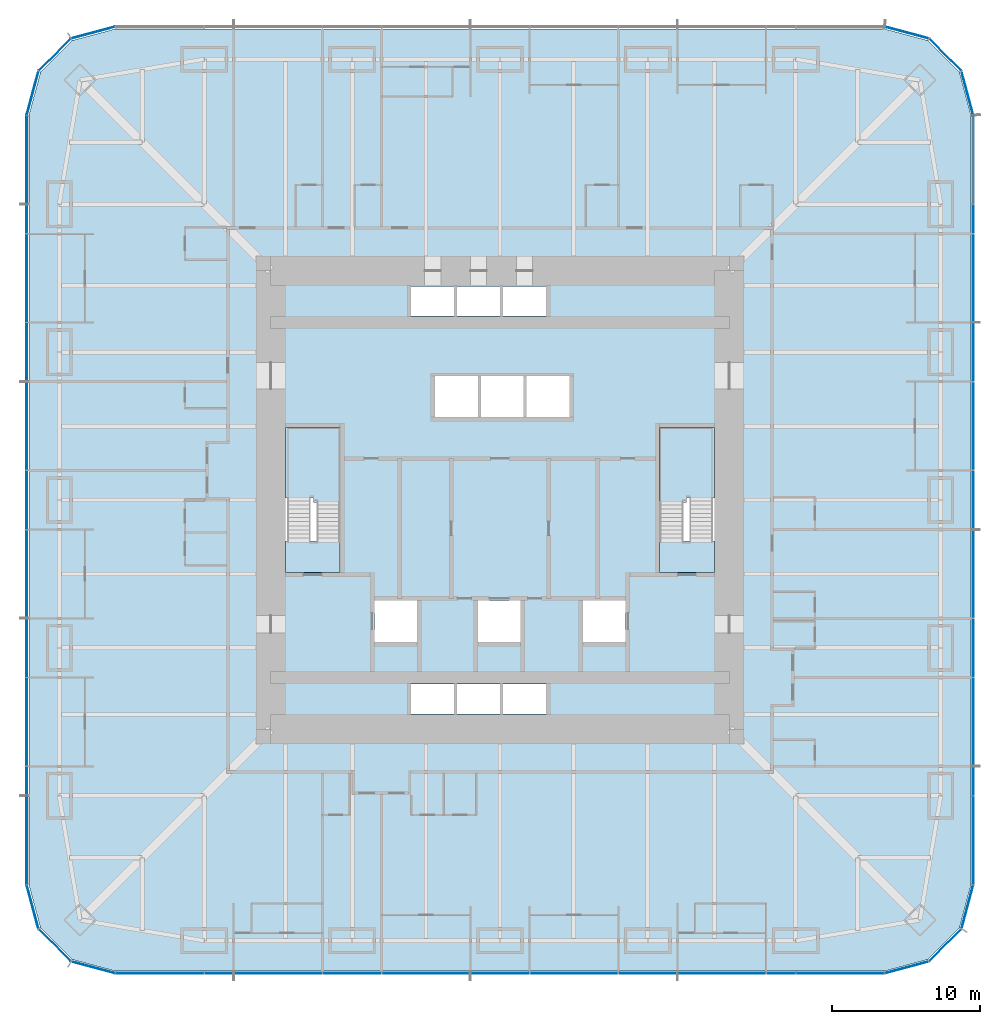
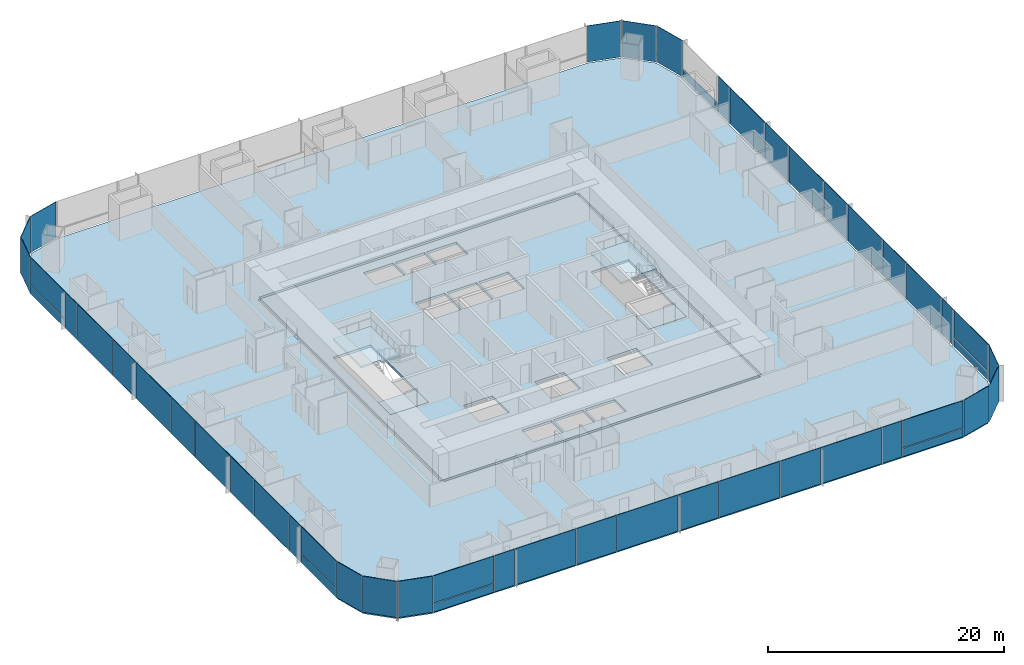
# One storey, part 13 of 20: 50 plates, 6 slabs, 9 elements without a shape of their own.
"""IFC4 building model written with IfcOpenShell, lengths in metres."""

from ifc_helpers import new_model, si_unit, direction, frame, origin, origin_2d, place, context, subcontext, project, spatial, polyline, rectangle, outline, extrude, material, layer, layer_set, type_object, element, aggregate, save


model = new_model("IFC4")

# Units and contexts
model_context = context("Model", 3, precision=1e-05, world=origin(), true_north=direction((0.0, 1.0)))
body_context = subcontext(model_context, "Body", "Model", "MODEL_VIEW")
ifc_project = project(units=[si_unit("LENGTHUNIT", "METRE"), si_unit("AREAUNIT", "SQUARE_METRE"), si_unit("VOLUMEUNIT", "CUBIC_METRE"), si_unit("PLANEANGLEUNIT", "RADIAN"), si_unit("MASSUNIT", "GRAM", prefix="KILO")], contexts=[model_context])

# Site, building, storey
site_placement = place(None, origin())
site = spatial("IfcSite", under=ifc_project, at=site_placement, CompositionType="ELEMENT")
building_placement = place(site_placement, origin())
building = spatial("IfcBuilding", under=site, at=building_placement, Name="Khuree Lantern Residences", CompositionType="ELEMENT")
storey_placement = place(building_placement, frame((0.0, 0.0, 32.25)))
storey = spatial("IfcBuildingStorey", under=building, at=storey_placement, Name="L07", CompositionType="ELEMENT", Elevation=32.25)

# Slab
ifc_material_1 = material(Name="Concrete C35/45", Category="concrete")
ifc_layer_1 = layer(ifc_material_1, 0.25)
ifc_layer_set_1 = layer_set([ifc_layer_1], Name="CFL250 CORE FLOOR SLAB 250")
slab_type_1 = type_object("IfcSlabType", Name="CFL250 CORE FLOOR SLAB 250", PredefinedType="FLOOR", material=ifc_layer_set_1)
slab_1_placement = place(storey_placement, frame((0.0, 0.0, -0.25)))
element("IfcSlab", 1, at=slab_1_placement, inside=storey, type_object=slab_type_1, Name="Core floor L07", PredefinedType="FLOOR", context=body_context, shape_type="SweptSolid", body=[
    extrude(outline(polyline([(-15.5, -15.5), (-15.5, 15.5), (15.5, 15.5), (15.5, -15.5), (-15.5, -15.5)]), holes=[polyline([(14.5, 4.89990234375), (10.800048828125, 4.89990234375), (10.800048828125, -4.89990234375), (14.5, -4.89990234375), (14.5, 4.89990234375)]), polyline([(8.5, -6.800048828125), (5.60009765625, -6.800048828125), (5.60009765625, -9.60009765625), (8.5, -9.60009765625), (8.5, -6.800048828125)]), polyline([(4.699951171875, 8.39990234375), (1.800048828125, 8.39990234375), (1.800048828125, 5.60009765625), (4.699951171875, 5.60009765625), (4.699951171875, 8.39990234375)]), polyline([(0.199951171875, -12.449951171875), (0.199951171875, -14.449951171875), (3.10009765625, -14.449951171875), (3.10009765625, -12.449951171875), (0.199951171875, -12.449951171875)]), polyline([(3.10009765625, 14.449951171875), (0.199951171875, 14.449951171875), (0.199951171875, 12.449951171875), (3.10009765625, 12.449951171875), (3.10009765625, 14.449951171875)]), polyline([(1.60009765625, 8.39990234375), (-1.300048828125, 8.39990234375), (-1.300048828125, 5.60009765625), (1.60009765625, 5.60009765625), (1.60009765625, 8.39990234375)]), polyline([(1.39990234375, -6.800048828125), (-1.5, -6.800048828125), (-1.5, -9.60009765625), (1.39990234375, -9.60009765625), (1.39990234375, -6.800048828125)]), polyline([(0.0, -12.449951171875), (-2.89990234375, -12.449951171875), (-2.89990234375, -14.449951171875), (0.0, -14.449951171875), (0.0, -12.449951171875)]), polyline([(0.0, 14.449951171875), (-2.89990234375, 14.449951171875), (-2.89990234375, 12.449951171875), (0.0, 12.449951171875), (0.0, 14.449951171875)]), polyline([(-1.5, 8.39990234375), (-4.39990234375, 8.39990234375), (-4.39990234375, 5.60009765625), (-1.5, 5.60009765625), (-1.5, 8.39990234375)]), polyline([(-6.0, -12.449951171875), (-6.0, -14.449951171875), (-3.10009765625, -14.449951171875), (-3.10009765625, -12.449951171875), (-6.0, -12.449951171875)]), polyline([(-3.10009765625, 14.449951171875), (-6.0, 14.449951171875), (-6.0, 12.449951171875), (-3.10009765625, 12.449951171875), (-3.10009765625, 14.449951171875)]), polyline([(-5.60009765625, -6.800048828125), (-8.5, -6.800048828125), (-8.5, -9.60009765625), (-5.60009765625, -9.60009765625), (-5.60009765625, -6.800048828125)]), polyline([(-10.800048828125, 4.89990234375), (-14.5, 4.89990234375), (-14.5, -4.89990234375), (-10.800048828125, -4.89990234375), (-10.800048828125, 4.89990234375)])]), origin(), (0.0, 0.0, 1.0), 0.25),
])

# Curtain wall, plates
ifc_material_2 = material(Name="Bronze anodised aluminium", Category="aluminium")
curtain_wall_type_1 = type_object("IfcCurtainWallType", Name="CW-T2 TOWER CORNER CURTAIN WALL", PredefinedType="USERDEFINED", material=ifc_material_2)
curtain_wall_1_placement = place(storey_placement, origin())
curtain_wall_1 = element("IfcCurtainWall", 2, at=curtain_wall_1_placement, inside=storey, type_object=curtain_wall_type_1, Name="L07 SOUTH-EAST CORNER CURTAIN WALL", ObjectType="Faceted corner curtain wall", PredefinedType="USERDEFINED")
ifc_material_3 = material(Name="Bronze tinted triple glazing", Category="glass")
ifc_layer_2 = layer(ifc_material_3, 0.048095703125)
ifc_layer_set_2 = layer_set([ifc_layer_2], Name="FACET PANEL P4")
plate_type_1 = type_object("IfcPlateType", Name="FACET PANEL P4", PredefinedType="CURTAIN_PANEL", material=ifc_layer_set_2)
plate_1_placement = place(storey_placement, frame((27.498046875, -31.5986328125, 0.0), z_axis=(0.0, 0.0, 1.0), x_axis=(0.965925792265, 0.258819172081, 0.0)))
plate_1 = element("IfcPlate", 3, at=plate_1_placement, type_object=plate_type_1, Name="L07 SOUTH-EAST CORNER PANEL 1.1", PredefinedType="CURTAIN_PANEL", context=body_context, shape_type="SweptSolid", body=[
    extrude(rectangle(XDim=3.02978515625, YDim=0.048095703125, at=origin_2d()), origin(), (0.0, 0.0, 1.0), 3.75),
])
plate_2_placement = place(storey_placement, frame((30.09814453125, -30.09814453125, 0.0), z_axis=(0.0, 0.0, 1.0), x_axis=(0.707106781187, 0.707106781187, 0.0)))
plate_2 = element("IfcPlate", 4, at=plate_2_placement, type_object=plate_type_1, Name="L07 SOUTH-EAST CORNER PANEL 2.1", PredefinedType="CURTAIN_PANEL", context=body_context, shape_type="SweptSolid", body=[
    extrude(rectangle(XDim=3.025634765625, YDim=0.048095703125, at=origin_2d()), origin(), (0.0, 0.0, 1.0), 3.75),
])
plate_3_placement = place(storey_placement, frame((31.5986328125, -27.498046875, 0.0), z_axis=(0.0, 0.0, 1.0), x_axis=(0.258819172081, 0.965925792265, 0.0)))
plate_3 = element("IfcPlate", 5, at=plate_3_placement, type_object=plate_type_1, Name="L07 SOUTH-EAST CORNER PANEL 3.1", PredefinedType="CURTAIN_PANEL", context=body_context, shape_type="SweptSolid", body=[
    extrude(rectangle(XDim=3.02978515625, YDim=0.048095703125, at=origin_2d()), origin(), (0.0, 0.0, 1.0), 3.75),
])
aggregate(curtain_wall_1, [plate_1, plate_2, plate_3])

curtain_wall_2_placement = place(storey_placement, origin())
curtain_wall_2 = element("IfcCurtainWall", 6, at=curtain_wall_2_placement, inside=storey, type_object=curtain_wall_type_1, Name="L07 NORTH-EAST CORNER CURTAIN WALL", ObjectType="Faceted corner curtain wall", PredefinedType="USERDEFINED")
plate_4_placement = place(storey_placement, frame((31.5986328125, 27.498046875, 0.0), z_axis=(0.0, 0.0, 1.0), x_axis=(-0.258819172081, 0.965925792265, 0.0)))
plate_4 = element("IfcPlate", 7, at=plate_4_placement, type_object=plate_type_1, Name="L07 NORTH-EAST CORNER PANEL 15.1", PredefinedType="CURTAIN_PANEL", context=body_context, shape_type="SweptSolid", body=[
    extrude(rectangle(XDim=3.02978515625, YDim=0.048095703125, at=origin_2d()), origin(), (0.0, 0.0, 1.0), 3.75),
])
plate_5_placement = place(storey_placement, frame((30.09814453125, 30.09814453125, 0.0), z_axis=(0.0, 0.0, 1.0), x_axis=(-0.707106781187, 0.707106781187, 0.0)))
plate_5 = element("IfcPlate", 8, at=plate_5_placement, type_object=plate_type_1, Name="L07 NORTH-EAST CORNER PANEL 16.1", PredefinedType="CURTAIN_PANEL", context=body_context, shape_type="SweptSolid", body=[
    extrude(rectangle(XDim=3.025634765625, YDim=0.048095703125, at=origin_2d()), origin(), (0.0, 0.0, 1.0), 3.75),
])
plate_6_placement = place(storey_placement, frame((27.498046875, 31.5986328125, 0.0), z_axis=(0.0, 0.0, 1.0), x_axis=(-0.965925792265, 0.258819172081, 0.0)))
plate_6 = element("IfcPlate", 9, at=plate_6_placement, type_object=plate_type_1, Name="L07 NORTH-EAST CORNER PANEL 17.1", PredefinedType="CURTAIN_PANEL", context=body_context, shape_type="SweptSolid", body=[
    extrude(rectangle(XDim=3.02978515625, YDim=0.048095703125, at=origin_2d()), origin(), (0.0, 0.0, 1.0), 3.75),
])
aggregate(curtain_wall_2, [plate_4, plate_5, plate_6])

curtain_wall_3_placement = place(storey_placement, origin())
curtain_wall_3 = element("IfcCurtainWall", 10, at=curtain_wall_3_placement, inside=storey, type_object=curtain_wall_type_1, Name="L07 NORTH-WEST CORNER CURTAIN WALL", ObjectType="Faceted corner curtain wall", PredefinedType="USERDEFINED")
plate_7_placement = place(storey_placement, frame((-27.498046875, 31.5986328125, 0.0), z_axis=(0.0, 0.0, 1.0), x_axis=(-0.965925792265, -0.258819172081, 0.0)))
plate_7 = element("IfcPlate", 11, at=plate_7_placement, type_object=plate_type_1, Name="L07 NORTH-WEST CORNER PANEL 29.1", PredefinedType="CURTAIN_PANEL", context=body_context, shape_type="SweptSolid", body=[
    extrude(rectangle(XDim=3.02978515625, YDim=0.048095703125, at=origin_2d()), origin(), (0.0, 0.0, 1.0), 3.75),
])
plate_8_placement = place(storey_placement, frame((-30.09814453125, 30.09814453125, 0.0), z_axis=(0.0, 0.0, 1.0), x_axis=(-0.707106781187, -0.707106781187, 0.0)))
plate_8 = element("IfcPlate", 12, at=plate_8_placement, type_object=plate_type_1, Name="L07 NORTH-WEST CORNER PANEL 30.1", PredefinedType="CURTAIN_PANEL", context=body_context, shape_type="SweptSolid", body=[
    extrude(rectangle(XDim=3.025634765625, YDim=0.048095703125, at=origin_2d()), origin(), (0.0, 0.0, 1.0), 3.75),
])
plate_9_placement = place(storey_placement, frame((-31.5986328125, 27.498046875, 0.0), z_axis=(0.0, 0.0, 1.0), x_axis=(-0.258819172081, -0.965925792265, 0.0)))
plate_9 = element("IfcPlate", 13, at=plate_9_placement, type_object=plate_type_1, Name="L07 NORTH-WEST CORNER PANEL 31.1", PredefinedType="CURTAIN_PANEL", context=body_context, shape_type="SweptSolid", body=[
    extrude(rectangle(XDim=3.02978515625, YDim=0.048095703125, at=origin_2d()), origin(), (0.0, 0.0, 1.0), 3.75),
])
aggregate(curtain_wall_3, [plate_7, plate_8, plate_9])

curtain_wall_4_placement = place(storey_placement, origin())
curtain_wall_4 = element("IfcCurtainWall", 14, at=curtain_wall_4_placement, inside=storey, type_object=curtain_wall_type_1, Name="L07 SOUTH-WEST CORNER CURTAIN WALL", ObjectType="Faceted corner curtain wall", PredefinedType="USERDEFINED")
plate_10_placement = place(storey_placement, frame((-31.5986328125, -27.498046875, 0.0), z_axis=(0.0, 0.0, 1.0), x_axis=(0.258819172081, -0.965925792265, 0.0)))
plate_10 = element("IfcPlate", 15, at=plate_10_placement, type_object=plate_type_1, Name="L07 SOUTH-WEST CORNER PANEL 43.1", PredefinedType="CURTAIN_PANEL", context=body_context, shape_type="SweptSolid", body=[
    extrude(rectangle(XDim=3.02978515625, YDim=0.048095703125, at=origin_2d()), origin(), (0.0, 0.0, 1.0), 3.75),
])
plate_11_placement = place(storey_placement, frame((-30.09814453125, -30.09814453125, 0.0), z_axis=(0.0, 0.0, 1.0), x_axis=(0.707106781187, -0.707106781187, 0.0)))
plate_11 = element("IfcPlate", 16, at=plate_11_placement, type_object=plate_type_1, Name="L07 SOUTH-WEST CORNER PANEL 44.1", PredefinedType="CURTAIN_PANEL", context=body_context, shape_type="SweptSolid", body=[
    extrude(rectangle(XDim=3.025634765625, YDim=0.048095703125, at=origin_2d()), origin(), (0.0, 0.0, 1.0), 3.75),
])
plate_12_placement = place(storey_placement, frame((-27.498046875, -31.5986328125, 0.0), z_axis=(0.0, 0.0, 1.0), x_axis=(0.965925792265, -0.258819172081, 0.0)))
plate_12 = element("IfcPlate", 17, at=plate_12_placement, type_object=plate_type_1, Name="L07 SOUTH-WEST CORNER PANEL 45.1", PredefinedType="CURTAIN_PANEL", context=body_context, shape_type="SweptSolid", body=[
    extrude(rectangle(XDim=3.02978515625, YDim=0.048095703125, at=origin_2d()), origin(), (0.0, 0.0, 1.0), 3.75),
])
aggregate(curtain_wall_4, [plate_10, plate_11, plate_12])

curtain_wall_type_2 = type_object("IfcCurtainWallType", Name="CW-T1 TOWER FACE CURTAIN WALL", PredefinedType="USERDEFINED", material=ifc_material_2)
curtain_wall_5_placement = place(storey_placement, origin())
curtain_wall_5 = element("IfcCurtainWall", 18, at=curtain_wall_5_placement, inside=storey, type_object=curtain_wall_type_2, Name="L07 EAST FACE CURTAIN WALL", ObjectType="Stick-built curtain wall", PredefinedType="USERDEFINED")
ifc_material_4 = material(Name="Bronze tinted triple glazing with a ceramic-fritted spandrel band", Category="glass")
ifc_layer_3 = layer(ifc_material_4, 0.048095703125)
ifc_layer_set_3 = layer_set([ifc_layer_3], Name="FIXED LIGHT PANEL P11")
plate_type_2 = type_object("IfcPlateType", Name="FIXED LIGHT PANEL P11", PredefinedType="CURTAIN_PANEL", material=ifc_layer_set_3)
plate_13_placement = place(storey_placement, frame((32.0, -15.0, 0.0), z_axis=(0.0, 0.0, 1.0), x_axis=(0.0, 1.0, 0.0)))
plate_13 = element("IfcPlate", 19, at=plate_13_placement, type_object=plate_type_2, Name="L07 EAST FACE PANEL 6.1", PredefinedType="CURTAIN_PANEL", context=body_context, shape_type="SweptSolid", body=[
    extrude(rectangle(XDim=5.93505859375, YDim=0.048095703125, at=origin_2d()), origin(), (0.0, 0.0, 1.0), 3.75),
])
plate_14_placement = place(storey_placement, frame((32.0, -5.0, 0.0), z_axis=(0.0, 0.0, 1.0), x_axis=(0.0, 1.0, 0.0)))
plate_14 = element("IfcPlate", 20, at=plate_14_placement, type_object=plate_type_2, Name="L07 EAST FACE PANEL 8.1", PredefinedType="CURTAIN_PANEL", context=body_context, shape_type="SweptSolid", body=[
    extrude(rectangle(XDim=5.93505859375, YDim=0.048095703125, at=origin_2d()), origin(), (0.0, 0.0, 1.0), 3.75),
])
plate_15_placement = place(storey_placement, frame((32.0, 5.0, 0.0), z_axis=(0.0, 0.0, 1.0), x_axis=(0.0, 1.0, 0.0)))
plate_15 = element("IfcPlate", 21, at=plate_15_placement, type_object=plate_type_2, Name="L07 EAST FACE PANEL 10.1", PredefinedType="CURTAIN_PANEL", context=body_context, shape_type="SweptSolid", body=[
    extrude(rectangle(XDim=5.93505859375, YDim=0.048095703125, at=origin_2d()), origin(), (0.0, 0.0, 1.0), 3.75),
])
plate_16_placement = place(storey_placement, frame((32.0, 15.0, 0.0), z_axis=(0.0, 0.0, 1.0), x_axis=(0.0, 1.0, 0.0)))
plate_16 = element("IfcPlate", 22, at=plate_16_placement, type_object=plate_type_2, Name="L07 EAST FACE PANEL 12.1", PredefinedType="CURTAIN_PANEL", context=body_context, shape_type="SweptSolid", body=[
    extrude(rectangle(XDim=5.93505859375, YDim=0.048095703125, at=origin_2d()), origin(), (0.0, 0.0, 1.0), 3.75),
])

curtain_wall_6_placement = place(storey_placement, origin())
curtain_wall_6 = element("IfcCurtainWall", 23, at=curtain_wall_6_placement, inside=storey, type_object=curtain_wall_type_2, Name="L07 WEST FACE CURTAIN WALL", ObjectType="Stick-built curtain wall", PredefinedType="USERDEFINED")
plate_17_placement = place(storey_placement, frame((-32.0, 15.0, 0.0), z_axis=(0.0, 0.0, 1.0), x_axis=(0.0, -1.0, 0.0)))
plate_17 = element("IfcPlate", 24, at=plate_17_placement, type_object=plate_type_2, Name="L07 WEST FACE PANEL 34.1", PredefinedType="CURTAIN_PANEL", context=body_context, shape_type="SweptSolid", body=[
    extrude(rectangle(XDim=5.93505859375, YDim=0.048095703125, at=origin_2d()), origin(), (0.0, 0.0, 1.0), 3.75),
])
plate_18_placement = place(storey_placement, frame((-32.0, 5.0, 0.0), z_axis=(0.0, 0.0, 1.0), x_axis=(0.0, -1.0, 0.0)))
plate_18 = element("IfcPlate", 25, at=plate_18_placement, type_object=plate_type_2, Name="L07 WEST FACE PANEL 36.1", PredefinedType="CURTAIN_PANEL", context=body_context, shape_type="SweptSolid", body=[
    extrude(rectangle(XDim=5.93505859375, YDim=0.048095703125, at=origin_2d()), origin(), (0.0, 0.0, 1.0), 3.75),
])
plate_19_placement = place(storey_placement, frame((-32.0, -5.0, 0.0), z_axis=(0.0, 0.0, 1.0), x_axis=(0.0, -1.0, 0.0)))
plate_19 = element("IfcPlate", 26, at=plate_19_placement, type_object=plate_type_2, Name="L07 WEST FACE PANEL 38.1", PredefinedType="CURTAIN_PANEL", context=body_context, shape_type="SweptSolid", body=[
    extrude(rectangle(XDim=5.93505859375, YDim=0.048095703125, at=origin_2d()), origin(), (0.0, 0.0, 1.0), 3.75),
])
plate_20_placement = place(storey_placement, frame((-32.0, -15.0, 0.0), z_axis=(0.0, 0.0, 1.0), x_axis=(0.0, -1.0, 0.0)))
plate_20 = element("IfcPlate", 27, at=plate_20_placement, type_object=plate_type_2, Name="L07 WEST FACE PANEL 40.1", PredefinedType="CURTAIN_PANEL", context=body_context, shape_type="SweptSolid", body=[
    extrude(rectangle(XDim=5.93505859375, YDim=0.048095703125, at=origin_2d()), origin(), (0.0, 0.0, 1.0), 3.75),
])

curtain_wall_7_placement = place(storey_placement, origin())
curtain_wall_7 = element("IfcCurtainWall", 28, at=curtain_wall_7_placement, inside=storey, type_object=curtain_wall_type_2, Name="L07 SOUTH FACE CURTAIN WALL", ObjectType="Stick-built curtain wall", PredefinedType="USERDEFINED")
plate_21_placement = place(storey_placement, frame((-15.0, -32.0, 0.0), z_axis=(0.0, 0.0, 1.0), x_axis=(1.0, 0.0, 0.0)))
plate_21 = element("IfcPlate", 29, at=plate_21_placement, type_object=plate_type_2, Name="L07 SOUTH FACE PANEL 48.1", PredefinedType="CURTAIN_PANEL", context=body_context, shape_type="SweptSolid", body=[
    extrude(rectangle(XDim=5.93505859375, YDim=0.048095703125, at=origin_2d()), origin(), (0.0, 0.0, 1.0), 3.75),
])
plate_22_placement = place(storey_placement, frame((-5.0, -32.0, 0.0), z_axis=(0.0, 0.0, 1.0), x_axis=(1.0, 0.0, 0.0)))
plate_22 = element("IfcPlate", 30, at=plate_22_placement, type_object=plate_type_2, Name="L07 SOUTH FACE PANEL 50.1", PredefinedType="CURTAIN_PANEL", context=body_context, shape_type="SweptSolid", body=[
    extrude(rectangle(XDim=5.93505859375, YDim=0.048095703125, at=origin_2d()), origin(), (0.0, 0.0, 1.0), 3.75),
])
plate_23_placement = place(storey_placement, frame((5.0, -32.0, 0.0), z_axis=(0.0, 0.0, 1.0), x_axis=(1.0, 0.0, 0.0)))
plate_23 = element("IfcPlate", 31, at=plate_23_placement, type_object=plate_type_2, Name="L07 SOUTH FACE PANEL 52.1", PredefinedType="CURTAIN_PANEL", context=body_context, shape_type="SweptSolid", body=[
    extrude(rectangle(XDim=5.93505859375, YDim=0.048095703125, at=origin_2d()), origin(), (0.0, 0.0, 1.0), 3.75),
])
plate_24_placement = place(storey_placement, frame((15.0, -32.0, 0.0), z_axis=(0.0, 0.0, 1.0), x_axis=(1.0, 0.0, 0.0)))
plate_24 = element("IfcPlate", 32, at=plate_24_placement, type_object=plate_type_2, Name="L07 SOUTH FACE PANEL 54.1", PredefinedType="CURTAIN_PANEL", context=body_context, shape_type="SweptSolid", body=[
    extrude(rectangle(XDim=5.93505859375, YDim=0.048095703125, at=origin_2d()), origin(), (0.0, 0.0, 1.0), 3.75),
])

# Slab
ifc_layer_4 = layer(ifc_material_1, 0.25)
ifc_layer_set_4 = layer_set([ifc_layer_4], Name="FS250 FLOOR SLAB 250")
slab_type_2 = type_object("IfcSlabType", Name="FS250 FLOOR SLAB 250", PredefinedType="FLOOR", material=ifc_layer_set_4)
slab_2_placement = place(storey_placement, frame((0.0, 0.0, -0.25)))
element("IfcSlab", 33, at=slab_2_placement, inside=storey, type_object=slab_type_2, Name="Floor slab L07", PredefinedType="FLOOR", context=body_context, shape_type="SweptSolid", body=[
    extrude(outline(polyline([(-28.925048828125, -31.066162109375), (-31.066162109375, -28.925048828125), (-31.85009765625, -26.0), (-31.85009765625, 26.0), (-31.066162109375, 28.925048828125), (-28.925048828125, 31.066162109375), (-26.0, 31.85009765625), (26.0, 31.85009765625), (28.925048828125, 31.066162109375), (31.066162109375, 28.925048828125), (31.85009765625, 26.0), (31.85009765625, -26.0), (31.066162109375, -28.925048828125), (28.925048828125, -31.066162109375), (26.0, -31.85009765625), (-26.0, -31.85009765625), (-28.925048828125, -31.066162109375)]), holes=[polyline([(15.75, 15.5), (15.5, 15.5), (15.5, 15.75), (-15.5, 15.75), (-15.5, 15.5), (-15.75, 15.5), (-15.75, -15.5), (-15.5, -15.5), (-15.5, -15.75), (15.5, -15.75), (15.5, -15.5), (15.75, -15.5), (15.75, 15.5)])]), origin(), (0.0, 0.0, 1.0), 0.25),
])

# Plate
ifc_material_5 = material(Name="Bronze tinted triple glazing, two aluminium-framed sashes in one frame", Category="aluminium")
ifc_layer_5 = layer(ifc_material_5, 0.048095703125)
ifc_layer_set_5 = layer_set([ifc_layer_5], Name="SASH PAIR PANEL P12")
plate_type_3 = type_object("IfcPlateType", Name="SASH PAIR PANEL P12", PredefinedType="CURTAIN_PANEL", material=ifc_layer_set_5)
plate_25_placement = place(storey_placement, frame((32.0, -10.0, 0.0), z_axis=(0.0, 0.0, 1.0), x_axis=(0.0, 1.0, 0.0)))
plate_25 = element("IfcPlate", 34, at=plate_25_placement, type_object=plate_type_3, Name="L07 EAST FACE PANEL 7.1", PredefinedType="CURTAIN_PANEL", context=body_context, shape_type="SweptSolid", body=[
    extrude(rectangle(XDim=3.93505859375, YDim=0.048095703125, at=origin_2d()), origin(), (0.0, 0.0, 1.0), 3.75),
])

plate_26_placement = place(storey_placement, frame((32.0, 0.0, 0.0), z_axis=(0.0, 0.0, 1.0), x_axis=(0.0, 1.0, 0.0)))
plate_26 = element("IfcPlate", 35, at=plate_26_placement, type_object=plate_type_3, Name="L07 EAST FACE PANEL 9.1", PredefinedType="CURTAIN_PANEL", context=body_context, shape_type="SweptSolid", body=[
    extrude(rectangle(XDim=3.93505859375, YDim=0.048095703125, at=origin_2d()), origin(), (0.0, 0.0, 1.0), 3.75),
])

plate_27_placement = place(storey_placement, frame((32.0, 10.0, 0.0), z_axis=(0.0, 0.0, 1.0), x_axis=(0.0, 1.0, 0.0)))
plate_27 = element("IfcPlate", 36, at=plate_27_placement, type_object=plate_type_3, Name="L07 EAST FACE PANEL 11.1", PredefinedType="CURTAIN_PANEL", context=body_context, shape_type="SweptSolid", body=[
    extrude(rectangle(XDim=3.93505859375, YDim=0.048095703125, at=origin_2d()), origin(), (0.0, 0.0, 1.0), 3.75),
])

plate_28_placement = place(storey_placement, frame((-32.0, 10.0, 0.0), z_axis=(0.0, 0.0, 1.0), x_axis=(0.0, -1.0, 0.0)))
plate_28 = element("IfcPlate", 37, at=plate_28_placement, type_object=plate_type_3, Name="L07 WEST FACE PANEL 35.1", PredefinedType="CURTAIN_PANEL", context=body_context, shape_type="SweptSolid", body=[
    extrude(rectangle(XDim=3.93505859375, YDim=0.048095703125, at=origin_2d()), origin(), (0.0, 0.0, 1.0), 3.75),
])

plate_29_placement = place(storey_placement, frame((-32.0, 0.0, 0.0), z_axis=(0.0, 0.0, 1.0), x_axis=(0.0, -1.0, 0.0)))
plate_29 = element("IfcPlate", 38, at=plate_29_placement, type_object=plate_type_3, Name="L07 WEST FACE PANEL 37.1", PredefinedType="CURTAIN_PANEL", context=body_context, shape_type="SweptSolid", body=[
    extrude(rectangle(XDim=3.93505859375, YDim=0.048095703125, at=origin_2d()), origin(), (0.0, 0.0, 1.0), 3.75),
])

plate_30_placement = place(storey_placement, frame((-32.0, -10.0, 0.0), z_axis=(0.0, 0.0, 1.0), x_axis=(0.0, -1.0, 0.0)))
plate_30 = element("IfcPlate", 39, at=plate_30_placement, type_object=plate_type_3, Name="L07 WEST FACE PANEL 39.1", PredefinedType="CURTAIN_PANEL", context=body_context, shape_type="SweptSolid", body=[
    extrude(rectangle(XDim=3.93505859375, YDim=0.048095703125, at=origin_2d()), origin(), (0.0, 0.0, 1.0), 3.75),
])

plate_31_placement = place(storey_placement, frame((-10.0, -32.0, 0.0), z_axis=(0.0, 0.0, 1.0), x_axis=(1.0, 0.0, 0.0)))
plate_31 = element("IfcPlate", 40, at=plate_31_placement, type_object=plate_type_3, Name="L07 SOUTH FACE PANEL 49.1", PredefinedType="CURTAIN_PANEL", context=body_context, shape_type="SweptSolid", body=[
    extrude(rectangle(XDim=3.93505859375, YDim=0.048095703125, at=origin_2d()), origin(), (0.0, 0.0, 1.0), 3.75),
])

plate_32_placement = place(storey_placement, frame((0.0, -32.0, 0.0), z_axis=(0.0, 0.0, 1.0), x_axis=(1.0, 0.0, 0.0)))
plate_32 = element("IfcPlate", 41, at=plate_32_placement, type_object=plate_type_3, Name="L07 SOUTH FACE PANEL 51.1", PredefinedType="CURTAIN_PANEL", context=body_context, shape_type="SweptSolid", body=[
    extrude(rectangle(XDim=3.93505859375, YDim=0.048095703125, at=origin_2d()), origin(), (0.0, 0.0, 1.0), 3.75),
])

plate_33_placement = place(storey_placement, frame((10.0, -32.0, 0.0), z_axis=(0.0, 0.0, 1.0), x_axis=(1.0, 0.0, 0.0)))
plate_33 = element("IfcPlate", 42, at=plate_33_placement, type_object=plate_type_3, Name="L07 SOUTH FACE PANEL 53.1", PredefinedType="CURTAIN_PANEL", context=body_context, shape_type="SweptSolid", body=[
    extrude(rectangle(XDim=3.93505859375, YDim=0.048095703125, at=origin_2d()), origin(), (0.0, 0.0, 1.0), 3.75),
])

ifc_material_6 = material(Name="Bronze tinted triple glazing, aluminium-framed sash", Category="aluminium")
ifc_layer_6 = layer(ifc_material_6, 0.048095703125)
ifc_layer_set_6 = layer_set([ifc_layer_6], Name="SASH PANEL P3")
plate_type_4 = type_object("IfcPlateType", Name="SASH PANEL P3", PredefinedType="CURTAIN_PANEL", material=ifc_layer_set_6)
plate_34_placement = place(storey_placement, frame((32.0, -19.0, 0.0), z_axis=(0.0, 0.0, 1.0), x_axis=(0.0, 1.0, 0.0)))
plate_34 = element("IfcPlate", 43, at=plate_34_placement, type_object=plate_type_4, Name="L07 EAST FACE PANEL 5.1", PredefinedType="CURTAIN_PANEL", context=body_context, shape_type="SweptSolid", body=[
    extrude(rectangle(XDim=1.93505859375, YDim=0.048095703125, at=origin_2d()), origin(), (0.0, 0.0, 1.0), 3.75),
])

plate_35_placement = place(storey_placement, frame((32.0, 19.0, 0.0), z_axis=(0.0, 0.0, 1.0), x_axis=(0.0, 1.0, 0.0)))
plate_35 = element("IfcPlate", 44, at=plate_35_placement, type_object=plate_type_4, Name="L07 EAST FACE PANEL 13.1", PredefinedType="CURTAIN_PANEL", context=body_context, shape_type="SweptSolid", body=[
    extrude(rectangle(XDim=1.93505859375, YDim=0.048095703125, at=origin_2d()), origin(), (0.0, 0.0, 1.0), 3.75),
])

plate_36_placement = place(storey_placement, frame((-32.0, 19.0, 0.0), z_axis=(0.0, 0.0, 1.0), x_axis=(0.0, -1.0, 0.0)))
plate_36 = element("IfcPlate", 45, at=plate_36_placement, type_object=plate_type_4, Name="L07 WEST FACE PANEL 33.1", PredefinedType="CURTAIN_PANEL", context=body_context, shape_type="SweptSolid", body=[
    extrude(rectangle(XDim=1.93505859375, YDim=0.048095703125, at=origin_2d()), origin(), (0.0, 0.0, 1.0), 3.75),
])

plate_37_placement = place(storey_placement, frame((-32.0, -19.0, 0.0), z_axis=(0.0, 0.0, 1.0), x_axis=(0.0, -1.0, 0.0)))
plate_37 = element("IfcPlate", 46, at=plate_37_placement, type_object=plate_type_4, Name="L07 WEST FACE PANEL 41.1", PredefinedType="CURTAIN_PANEL", context=body_context, shape_type="SweptSolid", body=[
    extrude(rectangle(XDim=1.93505859375, YDim=0.048095703125, at=origin_2d()), origin(), (0.0, 0.0, 1.0), 3.75),
])

plate_38_placement = place(storey_placement, frame((-19.0, -32.0, 0.0), z_axis=(0.0, 0.0, 1.0), x_axis=(1.0, 0.0, 0.0)))
plate_38 = element("IfcPlate", 47, at=plate_38_placement, type_object=plate_type_4, Name="L07 SOUTH FACE PANEL 47.1", PredefinedType="CURTAIN_PANEL", context=body_context, shape_type="SweptSolid", body=[
    extrude(rectangle(XDim=1.93505859375, YDim=0.048095703125, at=origin_2d()), origin(), (0.0, 0.0, 1.0), 3.75),
])

plate_39_placement = place(storey_placement, frame((19.0, -32.0, 0.0), z_axis=(0.0, 0.0, 1.0), x_axis=(1.0, 0.0, 0.0)))
plate_39 = element("IfcPlate", 48, at=plate_39_placement, type_object=plate_type_4, Name="L07 SOUTH FACE PANEL 55.1", PredefinedType="CURTAIN_PANEL", context=body_context, shape_type="SweptSolid", body=[
    extrude(rectangle(XDim=1.93505859375, YDim=0.048095703125, at=origin_2d()), origin(), (0.0, 0.0, 1.0), 3.75),
])

ifc_material_7 = material(Name="Bronze anodised aluminium insulated spandrel", Category="aluminium")
ifc_layer_7 = layer(ifc_material_7, 0.06005859375)
ifc_layer_set_7 = layer_set([ifc_layer_7], Name="SPANDREL PANEL P2")
plate_type_5 = type_object("IfcPlateType", Name="SPANDREL PANEL P2", PredefinedType="CURTAIN_PANEL", material=ifc_layer_set_7)
plate_40_placement = place(storey_placement, frame((32.0, -22.997802734375, 0.0), z_axis=(0.0, 0.0, 1.0), x_axis=(0.0, 1.0, 0.0)))
plate_40 = element("IfcPlate", 49, at=plate_40_placement, type_object=plate_type_5, Name="L07 EAST FACE PANEL 4.1", PredefinedType="CURTAIN_PANEL", context=body_context, shape_type="SweptSolid", body=[
    extrude(rectangle(XDim=5.9306640625, YDim=0.06005859375, at=origin_2d()), origin(), (0.0, 0.0, 1.0), 0.867431640625),
])

plate_41_placement = place(storey_placement, frame((32.0, 22.997802734375, 0.0), z_axis=(0.0, 0.0, 1.0), x_axis=(0.0, 1.0, 0.0)))
plate_41 = element("IfcPlate", 50, at=plate_41_placement, type_object=plate_type_5, Name="L07 EAST FACE PANEL 14.1", PredefinedType="CURTAIN_PANEL", context=body_context, shape_type="SweptSolid", body=[
    extrude(rectangle(XDim=5.9306640625, YDim=0.06005859375, at=origin_2d()), origin(), (0.0, 0.0, 1.0), 0.867431640625),
])

plate_42_placement = place(storey_placement, frame((-32.0, 22.997802734375, 0.0), z_axis=(0.0, 0.0, 1.0), x_axis=(0.0, -1.0, 0.0)))
plate_42 = element("IfcPlate", 51, at=plate_42_placement, type_object=plate_type_5, Name="L07 WEST FACE PANEL 32.1", PredefinedType="CURTAIN_PANEL", context=body_context, shape_type="SweptSolid", body=[
    extrude(rectangle(XDim=5.9306640625, YDim=0.06005859375, at=origin_2d()), origin(), (0.0, 0.0, 1.0), 0.867431640625),
])

plate_43_placement = place(storey_placement, frame((-32.0, -22.997802734375, 0.0), z_axis=(0.0, 0.0, 1.0), x_axis=(0.0, -1.0, 0.0)))
plate_43 = element("IfcPlate", 52, at=plate_43_placement, type_object=plate_type_5, Name="L07 WEST FACE PANEL 42.1", PredefinedType="CURTAIN_PANEL", context=body_context, shape_type="SweptSolid", body=[
    extrude(rectangle(XDim=5.9306640625, YDim=0.06005859375, at=origin_2d()), origin(), (0.0, 0.0, 1.0), 0.867431640625),
])

plate_44_placement = place(storey_placement, frame((-22.997802734375, -32.0, 0.0), z_axis=(0.0, 0.0, 1.0), x_axis=(1.0, 0.0, 0.0)))
plate_44 = element("IfcPlate", 53, at=plate_44_placement, type_object=plate_type_5, Name="L07 SOUTH FACE PANEL 46.1", PredefinedType="CURTAIN_PANEL", context=body_context, shape_type="SweptSolid", body=[
    extrude(rectangle(XDim=5.9306640625, YDim=0.06005859375, at=origin_2d()), origin(), (0.0, 0.0, 1.0), 0.867431640625),
])

plate_45_placement = place(storey_placement, frame((22.997802734375, -32.0, 0.0), z_axis=(0.0, 0.0, 1.0), x_axis=(1.0, 0.0, 0.0)))
plate_45 = element("IfcPlate", 54, at=plate_45_placement, type_object=plate_type_5, Name="L07 SOUTH FACE PANEL 56.1", PredefinedType="CURTAIN_PANEL", context=body_context, shape_type="SweptSolid", body=[
    extrude(rectangle(XDim=5.9306640625, YDim=0.06005859375, at=origin_2d()), origin(), (0.0, 0.0, 1.0), 0.867431640625),
])

# Stair, slabs
ifc_material_8 = material(Name="Concrete C40/50", Category="concrete")
stair_type = type_object("IfcStairType", Name="STAIR ST1 HALF TURN 3600", PredefinedType="HALF_TURN_STAIR", material=ifc_material_8)
stair_1_placement = place(storey_placement, origin())
stair_1 = element("IfcStair", 55, at=stair_1_placement, inside=storey, type_object=stair_type, Name="Stair ST1", PredefinedType="HALF_TURN_STAIR")
ifc_layer_8 = layer(ifc_material_8, 0.199951171875)
ifc_layer_set_8 = layer_set([ifc_layer_8], Name="STAIR LANDING SL1 200")
slab_type_3 = type_object("IfcSlabType", Name="STAIR LANDING SL1 200", PredefinedType="LANDING", material=ifc_layer_set_8)
slab_3_placement = place(storey_placement, frame((0.0, 0.0, -0.199951171875)))
slab_3 = element("IfcSlab", 56, at=slab_3_placement, type_object=slab_type_3, Name="ST1 landing 1", PredefinedType="LANDING", context=body_context, shape_type="SweptSolid", body=[
    extrude(outline(polyline([(-14.5, -4.89990234375), (-10.800048828125, -4.89990234375), (-10.800048828125, -2.760009765625), (-14.5, -2.760009765625), (-14.5, -4.89990234375)])), origin(), (0.0, 0.0, 1.0), 0.199951171875),
])
slab_4_placement = place(storey_placement, frame((0.0, 0.0, 1.756591796875)))
slab_4 = element("IfcSlab", 57, at=slab_4_placement, type_object=slab_type_3, Name="ST1 landing 2", PredefinedType="LANDING", context=body_context, shape_type="SweptSolid", body=[
    extrude(outline(polyline([(-14.5, 0.1201171875), (-14.5, 4.89990234375), (-10.800048828125, 4.89990234375), (-10.800048828125, -0.159912109375), (-12.60009765625, -0.159912109375), (-12.60009765625, 0.1201171875), (-14.5, 0.1201171875)])), origin(), (0.0, 0.0, 1.0), 0.199951171875),
])
aggregate(stair_1, [slab_3, slab_4])

stair_2_placement = place(storey_placement, origin())
stair_2 = element("IfcStair", 58, at=stair_2_placement, inside=storey, type_object=stair_type, Name="Stair ST2", PredefinedType="HALF_TURN_STAIR")
slab_5_placement = place(storey_placement, frame((0.0, 0.0, -0.199951171875)))
slab_5 = element("IfcSlab", 59, at=slab_5_placement, type_object=slab_type_3, Name="ST2 landing 1", PredefinedType="LANDING", context=body_context, shape_type="SweptSolid", body=[
    extrude(outline(polyline([(10.800048828125, -4.89990234375), (14.5, -4.89990234375), (14.5, -2.760009765625), (10.800048828125, -2.760009765625), (10.800048828125, -4.89990234375)])), origin(), (0.0, 0.0, 1.0), 0.199951171875),
])
slab_6_placement = place(storey_placement, frame((0.0, 0.0, 1.756591796875)))
slab_6 = element("IfcSlab", 60, at=slab_6_placement, type_object=slab_type_3, Name="ST2 landing 2", PredefinedType="LANDING", context=body_context, shape_type="SweptSolid", body=[
    extrude(outline(polyline([(14.5, 4.89990234375), (14.5, 0.1201171875), (12.60009765625, 0.1201171875), (12.60009765625, -0.159912109375), (10.800048828125, -0.159912109375), (10.800048828125, 4.89990234375), (14.5, 4.89990234375)])), origin(), (0.0, 0.0, 1.0), 0.199951171875),
])
aggregate(stair_2, [slab_5, slab_6])

# Plate
ifc_layer_9 = layer(ifc_material_3, 0.048095703125)
ifc_layer_set_9 = layer_set([ifc_layer_9], Name="VISION PANEL P1")
plate_type_6 = type_object("IfcPlateType", Name="VISION PANEL P1", PredefinedType="CURTAIN_PANEL", material=ifc_layer_set_9)
plate_46_placement = place(storey_placement, frame((32.0, -22.998291015625, 0.9326171875), z_axis=(0.0, 0.0, 1.0), x_axis=(0.0, 1.0, 0.0)))
plate_46 = element("IfcPlate", 61, at=plate_46_placement, type_object=plate_type_6, Name="L07 EAST FACE PANEL 4.2", PredefinedType="CURTAIN_PANEL", context=body_context, shape_type="SweptSolid", body=[
    extrude(rectangle(XDim=5.931640625, YDim=0.048095703125, at=origin_2d()), origin(), (0.0, 0.0, 1.0), 2.8173828125),
])

aggregate(curtain_wall_5, [plate_40, plate_46, plate_34, plate_13, plate_25, plate_14, plate_26, plate_15, plate_27, plate_16, plate_35, plate_41])

plate_47_placement = place(storey_placement, frame((-32.0, 22.998291015625, 0.9326171875), z_axis=(0.0, 0.0, 1.0), x_axis=(0.0, -1.0, 0.0)))
plate_47 = element("IfcPlate", 62, at=plate_47_placement, type_object=plate_type_6, Name="L07 WEST FACE PANEL 32.2", PredefinedType="CURTAIN_PANEL", context=body_context, shape_type="SweptSolid", body=[
    extrude(rectangle(XDim=5.931640625, YDim=0.048095703125, at=origin_2d()), origin(), (0.0, 0.0, 1.0), 2.8173828125),
])

plate_48_placement = place(storey_placement, frame((-32.0, -22.998291015625, 0.9326171875), z_axis=(0.0, 0.0, 1.0), x_axis=(0.0, -1.0, 0.0)))
plate_48 = element("IfcPlate", 63, at=plate_48_placement, type_object=plate_type_6, Name="L07 WEST FACE PANEL 42.2", PredefinedType="CURTAIN_PANEL", context=body_context, shape_type="SweptSolid", body=[
    extrude(rectangle(XDim=5.931640625, YDim=0.048095703125, at=origin_2d()), origin(), (0.0, 0.0, 1.0), 2.8173828125),
])

aggregate(curtain_wall_6, [plate_42, plate_47, plate_36, plate_17, plate_28, plate_18, plate_29, plate_19, plate_30, plate_20, plate_37, plate_43, plate_48])

plate_49_placement = place(storey_placement, frame((-22.998291015625, -32.0, 0.9326171875), z_axis=(0.0, 0.0, 1.0), x_axis=(1.0, 0.0, 0.0)))
plate_49 = element("IfcPlate", 64, at=plate_49_placement, type_object=plate_type_6, Name="L07 SOUTH FACE PANEL 46.2", PredefinedType="CURTAIN_PANEL", context=body_context, shape_type="SweptSolid", body=[
    extrude(rectangle(XDim=5.931640625, YDim=0.048095703125, at=origin_2d()), origin(), (0.0, 0.0, 1.0), 2.8173828125),
])

plate_50_placement = place(storey_placement, frame((22.998291015625, -32.0, 0.9326171875), z_axis=(0.0, 0.0, 1.0), x_axis=(1.0, 0.0, 0.0)))
plate_50 = element("IfcPlate", 65, at=plate_50_placement, type_object=plate_type_6, Name="L07 SOUTH FACE PANEL 56.2", PredefinedType="CURTAIN_PANEL", context=body_context, shape_type="SweptSolid", body=[
    extrude(rectangle(XDim=5.931640625, YDim=0.048095703125, at=origin_2d()), origin(), (0.0, 0.0, 1.0), 2.8173828125),
])

aggregate(curtain_wall_7, [plate_44, plate_49, plate_38, plate_21, plate_31, plate_22, plate_32, plate_23, plate_33, plate_24, plate_39, plate_45, plate_50])

save(model, "model.ifc")
